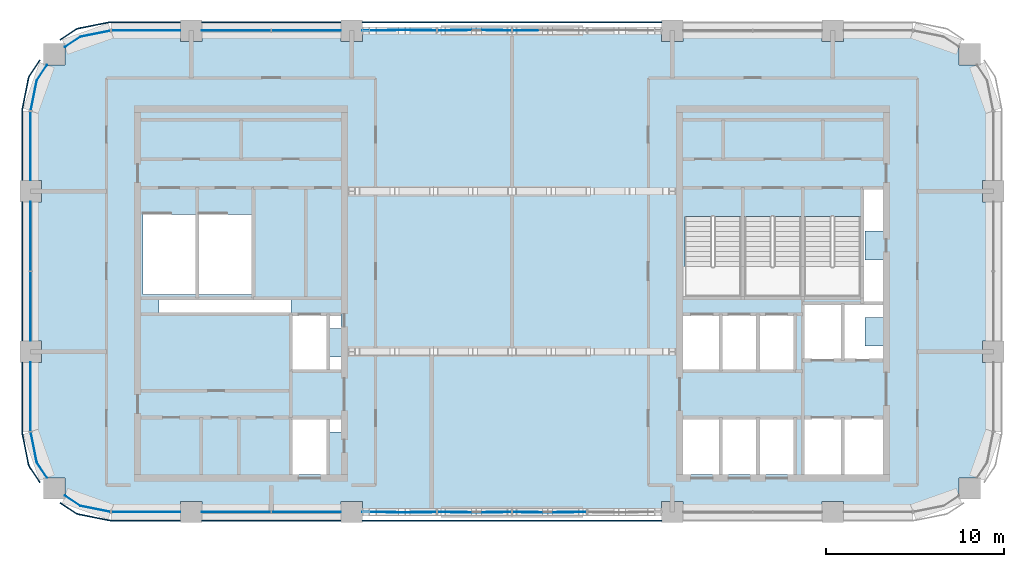
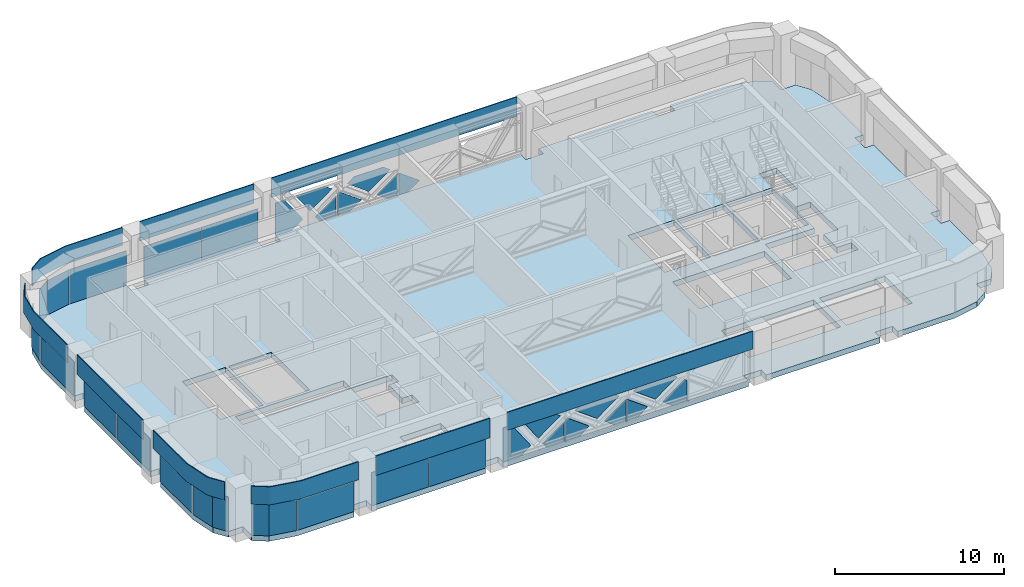
# One storey, part 6 of 12: 39 plates, 1 slab, 9 elements without a shape of their own.
"""IFC4 building model written with IfcOpenShell, lengths in metres."""

from ifc_helpers import new_model, si_unit, direction, frame, origin, origin_2d, place, context, subcontext, project, spatial, polyline, rectangle, outline, extrude, material, layer, layer_set, type_object, element, aggregate, save


model = new_model("IFC4")

# Units and contexts
model_context = context("Model", 3, precision=1e-05, world=origin(), true_north=direction((0.0, 1.0)))
body_context = subcontext(model_context, "Body", "Model", "MODEL_VIEW")
ifc_project = project(units=[si_unit("LENGTHUNIT", "METRE"), si_unit("AREAUNIT", "SQUARE_METRE"), si_unit("VOLUMEUNIT", "CUBIC_METRE"), si_unit("PLANEANGLEUNIT", "RADIAN"), si_unit("MASSUNIT", "GRAM", prefix="KILO")], contexts=[model_context])

# Site, building, storey
site_placement = place(None, origin())
site = spatial("IfcSite", under=ifc_project, at=site_placement, CompositionType="ELEMENT")
building_placement = place(site_placement, origin())
building = spatial("IfcBuilding", under=site, at=building_placement, Name="Tessera Arch", CompositionType="ELEMENT")
storey_placement = place(building_placement, frame((0.0, 0.0, 230.60009765625)))
storey = spatial("IfcBuildingStorey", under=building, at=storey_placement, Name="L55", CompositionType="ELEMENT", Elevation=230.60009765625)

# Curtain wall, plates
ifc_material_1 = material(Name="CW1 curtain wall")
curtain_wall_type_1 = type_object("IfcCurtainWallType", Name="CW1 curtain wall", PredefinedType="NOTDEFINED", material=ifc_material_1)
curtain_wall_1_placement = place(storey_placement, origin())
curtain_wall_1 = element("IfcCurtainWall", 1, at=curtain_wall_1_placement, inside=storey, type_object=curtain_wall_type_1, Name="CW1 curtain wall N54.0/3 L55", PredefinedType="NOTDEFINED")
ifc_material_2 = material(Name="Clear low-e glass", Category="glass")
ifc_material_3 = material(Name="Clear low-e glass", Category="glass")
ifc_layer_1 = layer(ifc_material_3, 0.028076171875)
ifc_layer_set_1 = layer_set([ifc_layer_1], Name="CW1 glass panel")
plate_type_1 = type_object("IfcPlateType", Name="CW1 glass panel", PredefinedType="CURTAIN_PANEL", material=ifc_layer_set_1)
plate_1_placement = place(storey_placement, frame((15.465087890625, 54.0, 0.0), z_axis=(0.0, 0.0, 1.0), x_axis=(-1.0, 0.0, 0.0)))
plate_1 = element("IfcPlate", 2, at=plate_1_placement, type_object=plate_type_1, material=ifc_material_2, Name="CW1 glass panel N54.0/3 1.1.1", PredefinedType="CURTAIN_PANEL", context=body_context, shape_type="SweptSolid", body=[
    extrude(rectangle(XDim=3.8701171875, YDim=0.028076171875, at=origin_2d()), origin(), (0.0, 0.0, 1.0), 2.389892578125),
])
plate_2_placement = place(storey_placement, frame((11.534912109375, 54.0, 0.0), z_axis=(0.0, 0.0, 1.0), x_axis=(-1.0, 0.0, 0.0)))
plate_2 = element("IfcPlate", 3, at=plate_2_placement, type_object=plate_type_1, material=ifc_material_2, Name="CW1 glass panel N54.0/3 1.2.1", PredefinedType="CURTAIN_PANEL", context=body_context, shape_type="SweptSolid", body=[
    extrude(rectangle(XDim=3.8701171875, YDim=0.028076171875, at=origin_2d()), origin(), (0.0, 0.0, 1.0), 2.389892578125),
])

curtain_wall_2_placement = place(storey_placement, origin())
curtain_wall_2 = element("IfcCurtainWall", 4, at=curtain_wall_2_placement, inside=storey, type_object=curtain_wall_type_1, Name="CW1 curtain wall W0.27/1 L55", PredefinedType="NOTDEFINED")
plate_3_placement = place(storey_placement, frame((0.0, 42.465087890625, 0.0), z_axis=(0.0, 0.0, 1.0), x_axis=(0.0, -1.0, 0.0)))
plate_3 = element("IfcPlate", 5, at=plate_3_placement, type_object=plate_type_1, material=ifc_material_2, Name="CW1 glass panel W0.27/1 1.1.1", PredefinedType="CURTAIN_PANEL", context=body_context, shape_type="SweptSolid", body=[
    extrude(rectangle(XDim=3.8701171875, YDim=0.028076171875, at=origin_2d()), origin(), (0.0, 0.0, 1.0), 2.389892578125),
])
plate_4_placement = place(storey_placement, frame((0.0, 38.534912109375, 0.0), z_axis=(0.0, 0.0, 1.0), x_axis=(0.0, -1.0, 0.0)))
plate_4 = element("IfcPlate", 6, at=plate_4_placement, type_object=plate_type_1, material=ifc_material_2, Name="CW1 glass panel W0.27/1 1.2.1", PredefinedType="CURTAIN_PANEL", context=body_context, shape_type="SweptSolid", body=[
    extrude(rectangle(XDim=3.8701171875, YDim=0.028076171875, at=origin_2d()), origin(), (0.0, 0.0, 1.0), 2.389892578125),
])

curtain_wall_3_placement = place(storey_placement, origin())
curtain_wall_3 = element("IfcCurtainWall", 7, at=curtain_wall_3_placement, inside=storey, type_object=curtain_wall_type_1, Name="CW1 curtain wall S27.0/1 L55", PredefinedType="NOTDEFINED")
plate_5_placement = place(storey_placement, frame((11.534912109375, 27.0, 0.0), z_axis=(0.0, 0.0, 1.0), x_axis=(1.0, 0.0, 0.0)))
plate_5 = element("IfcPlate", 8, at=plate_5_placement, type_object=plate_type_1, material=ifc_material_2, Name="CW1 glass panel S27.0/1 1.1.1", PredefinedType="CURTAIN_PANEL", context=body_context, shape_type="SweptSolid", body=[
    extrude(rectangle(XDim=3.8701171875, YDim=0.028076171875, at=origin_2d()), origin(), (0.0, 0.0, 1.0), 2.389892578125),
])
plate_6_placement = place(storey_placement, frame((15.465087890625, 27.0, 0.0), z_axis=(0.0, 0.0, 1.0), x_axis=(1.0, 0.0, 0.0)))
plate_6 = element("IfcPlate", 9, at=plate_6_placement, type_object=plate_type_1, material=ifc_material_2, Name="CW1 glass panel S27.0/1 1.2.1", PredefinedType="CURTAIN_PANEL", context=body_context, shape_type="SweptSolid", body=[
    extrude(rectangle(XDim=3.8701171875, YDim=0.028076171875, at=origin_2d()), origin(), (0.0, 0.0, 1.0), 2.389892578125),
])

# Plate
ifc_material_4 = material(Name="Pale anodised aluminium panel", Category="aluminium")
ifc_layer_2 = layer(ifc_material_4, 0.06005859375)
ifc_layer_set_2 = layer_set([ifc_layer_2], Name="CW1 spandrel panel")
plate_type_2 = type_object("IfcPlateType", Name="CW1 spandrel panel", PredefinedType="CURTAIN_PANEL", material=ifc_layer_set_2)
plate_7_placement = place(storey_placement, frame((13.5, 54.47998046875, 2.48974609375), z_axis=(0.0, 0.0, 1.0), x_axis=(-1.0, 0.0, 0.0)))
plate_7 = element("IfcPlate", 10, at=plate_7_placement, type_object=plate_type_2, Name="CW1 spandrel panel N54.0/3", PredefinedType="CURTAIN_PANEL", context=body_context, shape_type="SweptSolid", body=[
    extrude(rectangle(XDim=7.800048828125, YDim=0.06005859375, at=origin_2d()), origin(), (0.0, 0.0, 1.0), 1.409912109375),
])

aggregate(curtain_wall_1, [plate_1, plate_2, plate_7])

plate_8_placement = place(storey_placement, frame((-0.47998046875, 40.5, 2.48974609375), z_axis=(0.0, 0.0, 1.0), x_axis=(0.0, -1.0, 0.0)))
plate_8 = element("IfcPlate", 11, at=plate_8_placement, type_object=plate_type_2, Name="CW1 spandrel panel W0.27/1", PredefinedType="CURTAIN_PANEL", context=body_context, shape_type="SweptSolid", body=[
    extrude(rectangle(XDim=7.800048828125, YDim=0.06005859375, at=origin_2d()), origin(), (0.0, 0.0, 1.0), 1.409912109375),
])

aggregate(curtain_wall_2, [plate_3, plate_4, plate_8])

plate_9_placement = place(storey_placement, frame((13.5, 26.52001953125, 2.48974609375), z_axis=(0.0, 0.0, 1.0), x_axis=(1.0, 0.0, 0.0)))
plate_9 = element("IfcPlate", 12, at=plate_9_placement, type_object=plate_type_2, Name="CW1 spandrel panel S27.0/1", PredefinedType="CURTAIN_PANEL", context=body_context, shape_type="SweptSolid", body=[
    extrude(rectangle(XDim=7.800048828125, YDim=0.06005859375, at=origin_2d()), origin(), (0.0, 0.0, 1.0), 1.409912109375),
])

aggregate(curtain_wall_3, [plate_5, plate_6, plate_9])

# Curtain wall, plates
ifc_material_5 = material(Name="CW2 curtain wall")
curtain_wall_type_2 = type_object("IfcCurtainWallType", Name="CW2 curtain wall", PredefinedType="NOTDEFINED", material=ifc_material_5)
curtain_wall_4_placement = place(storey_placement, origin())
curtain_wall_4 = element("IfcCurtainWall", 13, at=curtain_wall_4_placement, inside=storey, type_object=curtain_wall_type_2, Name="CW2 curtain wall N54.0/4 L55", PredefinedType="NOTDEFINED")
ifc_material_6 = material(Name="Clear low-e glass", Category="glass")
ifc_layer_3 = layer(ifc_material_6, 0.028076171875)
ifc_layer_set_3 = layer_set([ifc_layer_3], Name="CW2 glass panel")
plate_type_3 = type_object("IfcPlateType", Name="CW2 glass panel", PredefinedType="CURTAIN_PANEL", material=ifc_layer_set_3)
plate_10_placement = place(storey_placement, frame((6.469970703125, 54.0, 0.0), z_axis=(0.0, 0.0, 1.0), x_axis=(-1.0, 0.0, 0.0)))
plate_10 = element("IfcPlate", 14, at=plate_10_placement, type_object=plate_type_3, material=ifc_material_2, Name="CW2 glass panel N54.0/4 1.1", PredefinedType="CURTAIN_PANEL", context=body_context, shape_type="SweptSolid", body=[
    extrude(rectangle(XDim=3.860107421875, YDim=0.028076171875, at=origin_2d()), origin(), (0.0, 0.0, 1.0), 2.5),
])
plate_11_placement = place(storey_placement, origin())
plate_11 = element("IfcPlate", 15, at=plate_11_placement, type_object=plate_type_3, material=ifc_material_2, Name="CW2 curved glass panel N54.0/4 2.1", PredefinedType="CURTAIN_PANEL", context=body_context, shape_type="SweptSolid", body=[
    extrude(outline(polyline([(2.783447265625, 53.644287109375), (4.46337890625, 53.978515625), (4.4580078125, 54.005859375), (2.7724609375, 53.670654296875), (1.91015625, 53.094482421875), (1.92578125, 53.0712890625), (2.783447265625, 53.644287109375)])), origin(), (0.0, 0.0, 1.0), 2.5),
])

curtain_wall_5_placement = place(storey_placement, origin())
curtain_wall_5 = element("IfcCurtainWall", 16, at=curtain_wall_5_placement, inside=storey, type_object=curtain_wall_type_2, Name="CW2 curtain wall W0.27/0 L55", PredefinedType="NOTDEFINED")
plate_12_placement = place(storey_placement, frame((0.0, 47.530029296875, 0.0), z_axis=(0.0, 0.0, 1.0), x_axis=(0.0, -1.0, 0.0)))
plate_12 = element("IfcPlate", 17, at=plate_12_placement, type_object=plate_type_3, material=ifc_material_2, Name="CW2 glass panel W0.27/0 1.1", PredefinedType="CURTAIN_PANEL", context=body_context, shape_type="SweptSolid", body=[
    extrude(rectangle(XDim=3.860107421875, YDim=0.028076171875, at=origin_2d()), origin(), (0.0, 0.0, 1.0), 2.5),
])
plate_13_placement = place(storey_placement, origin())
plate_13 = element("IfcPlate", 18, at=plate_13_placement, type_object=plate_type_3, material=ifc_material_2, Name="CW2 curved glass panel W0.27/0 2.1", PredefinedType="CURTAIN_PANEL", context=body_context, shape_type="SweptSolid", body=[
    extrude(outline(polyline([(0.355712890625, 51.216552734375), (0.9287109375, 52.07421875), (0.905517578125, 52.08984375), (0.329345703125, 51.2275390625), (-0.005859375, 49.5419921875), (0.021484375, 49.53662109375), (0.355712890625, 51.216552734375)])), origin(), (0.0, 0.0, 1.0), 2.5),
])

curtain_wall_6_placement = place(storey_placement, origin())
curtain_wall_6 = element("IfcCurtainWall", 19, at=curtain_wall_6_placement, inside=storey, type_object=curtain_wall_type_2, Name="CW2 curtain wall W0.27/2 L55", PredefinedType="NOTDEFINED")
plate_14_placement = place(storey_placement, frame((0.0, 33.469970703125, 0.0), z_axis=(0.0, 0.0, 1.0), x_axis=(0.0, -1.0, 0.0)))
plate_14 = element("IfcPlate", 20, at=plate_14_placement, type_object=plate_type_3, material=ifc_material_2, Name="CW2 glass panel W0.27/2 1.1", PredefinedType="CURTAIN_PANEL", context=body_context, shape_type="SweptSolid", body=[
    extrude(rectangle(XDim=3.860107421875, YDim=0.028076171875, at=origin_2d()), origin(), (0.0, 0.0, 1.0), 2.5),
])
plate_15_placement = place(storey_placement, origin())
plate_15 = element("IfcPlate", 21, at=plate_15_placement, type_object=plate_type_3, material=ifc_material_2, Name="CW2 curved glass panel W0.27/2 2.1", PredefinedType="CURTAIN_PANEL", context=body_context, shape_type="SweptSolid", body=[
    extrude(outline(polyline([(0.355712890625, 29.783447265625), (0.021484375, 31.46337890625), (-0.005859375, 31.4580078125), (0.329345703125, 29.7724609375), (0.905517578125, 28.91015625), (0.9287109375, 28.92578125), (0.355712890625, 29.783447265625)])), origin(), (0.0, 0.0, 1.0), 2.5),
])

curtain_wall_7_placement = place(storey_placement, origin())
curtain_wall_7 = element("IfcCurtainWall", 22, at=curtain_wall_7_placement, inside=storey, type_object=curtain_wall_type_2, Name="CW2 curtain wall S27.0/0 L55", PredefinedType="NOTDEFINED")
plate_16_placement = place(storey_placement, frame((6.469970703125, 27.0, 0.0), z_axis=(0.0, 0.0, 1.0), x_axis=(1.0, 0.0, 0.0)))
plate_16 = element("IfcPlate", 23, at=plate_16_placement, type_object=plate_type_3, material=ifc_material_2, Name="CW2 glass panel S27.0/0 1.1", PredefinedType="CURTAIN_PANEL", context=body_context, shape_type="SweptSolid", body=[
    extrude(rectangle(XDim=3.860107421875, YDim=0.028076171875, at=origin_2d()), origin(), (0.0, 0.0, 1.0), 2.5),
])
plate_17_placement = place(storey_placement, origin())
plate_17 = element("IfcPlate", 24, at=plate_17_placement, type_object=plate_type_3, material=ifc_material_2, Name="CW2 curved glass panel S27.0/0 2.1", PredefinedType="CURTAIN_PANEL", context=body_context, shape_type="SweptSolid", body=[
    extrude(outline(polyline([(2.783447265625, 27.355712890625), (1.92578125, 27.9287109375), (1.91015625, 27.905517578125), (2.7724609375, 27.329345703125), (4.4580078125, 26.994140625), (4.46337890625, 27.021484375), (2.783447265625, 27.355712890625)])), origin(), (0.0, 0.0, 1.0), 2.5),
])

# Plate
ifc_material_7 = material(Name="Pale anodised aluminium panel", Category="aluminium")
ifc_layer_4 = layer(ifc_material_7, 0.06005859375)
ifc_layer_set_4 = layer_set([ifc_layer_4], Name="CW2 spandrel panel")
plate_type_4 = type_object("IfcPlateType", Name="CW2 spandrel panel", PredefinedType="CURTAIN_PANEL", material=ifc_layer_set_4)
plate_18_placement = place(storey_placement, frame((0.0, 0.0, 2.599853515625)))
plate_18 = element("IfcPlate", 25, at=plate_18_placement, type_object=plate_type_4, Name="CW2 spandrel panel N54.0/4", PredefinedType="CURTAIN_PANEL", context=body_context, shape_type="SweptSolid", body=[
    extrude(outline(polyline([(4.500732421875, 54.449951171875), (8.39990234375, 54.449951171875), (8.39990234375, 54.510009765625), (4.499267578125, 54.510009765625), (4.449951171875, 54.507568359375), (4.401123046875, 54.500244140625), (2.677734375, 54.157470703125), (2.6298828125, 54.1455078125), (2.582763671875, 54.128662109375), (2.537353515625, 54.107421875), (2.4951171875, 54.08203125), (1.634765625, 53.5068359375), (1.66796875, 53.45703125), (2.52734375, 54.03125), (2.565673828125, 54.054443359375), (2.605712890625, 54.0732421875), (2.647216796875, 54.088134765625), (2.69091796875, 54.09912109375), (4.411376953125, 54.441162109375), (4.455810546875, 54.44775390625), (4.500732421875, 54.449951171875)])), origin(), (0.0, 0.0, 1.0), 1.300048828125),
])

aggregate(curtain_wall_4, [plate_10, plate_11, plate_18])

plate_19_placement = place(storey_placement, frame((0.0, 0.0, 2.599853515625)))
plate_19 = element("IfcPlate", 26, at=plate_19_placement, type_object=plate_type_4, Name="CW2 spandrel panel W0.27/0", PredefinedType="CURTAIN_PANEL", context=body_context, shape_type="SweptSolid", body=[
    extrude(outline(polyline([(-0.03125, 51.47265625), (0.54296875, 52.33203125), (0.4931640625, 52.365234375), (-0.08203125, 51.5048828125), (-0.107421875, 51.462646484375), (-0.128662109375, 51.417236328125), (-0.1455078125, 51.3701171875), (-0.157470703125, 51.322265625), (-0.500244140625, 49.598876953125), (-0.507568359375, 49.550048828125), (-0.510009765625, 49.500732421875), (-0.510009765625, 45.60009765625), (-0.449951171875, 45.60009765625), (-0.449951171875, 49.499267578125), (-0.44775390625, 49.544189453125), (-0.441162109375, 49.588623046875), (-0.09912109375, 51.30908203125), (-0.088134765625, 51.352783203125), (-0.0732421875, 51.394287109375), (-0.054443359375, 51.434326171875), (-0.03125, 51.47265625)])), origin(), (0.0, 0.0, 1.0), 1.300048828125),
])

aggregate(curtain_wall_5, [plate_12, plate_13, plate_19])

plate_20_placement = place(storey_placement, frame((0.0, 0.0, 2.599853515625)))
plate_20 = element("IfcPlate", 27, at=plate_20_placement, type_object=plate_type_4, Name="CW2 spandrel panel W0.27/2", PredefinedType="CURTAIN_PANEL", context=body_context, shape_type="SweptSolid", body=[
    extrude(outline(polyline([(-0.449951171875, 31.500732421875), (-0.449951171875, 35.39990234375), (-0.510009765625, 35.39990234375), (-0.510009765625, 31.499267578125), (-0.507568359375, 31.449951171875), (-0.500244140625, 31.401123046875), (-0.157470703125, 29.677734375), (-0.1455078125, 29.6298828125), (-0.128662109375, 29.582763671875), (-0.107421875, 29.537353515625), (-0.08203125, 29.4951171875), (0.4931640625, 28.634765625), (0.54296875, 28.66796875), (-0.03125, 29.52734375), (-0.054443359375, 29.565673828125), (-0.0732421875, 29.605712890625), (-0.088134765625, 29.647216796875), (-0.09912109375, 29.69091796875), (-0.441162109375, 31.411376953125), (-0.44775390625, 31.455810546875), (-0.449951171875, 31.500732421875)])), origin(), (0.0, 0.0, 1.0), 1.300048828125),
])

aggregate(curtain_wall_6, [plate_14, plate_15, plate_20])

plate_21_placement = place(storey_placement, frame((0.0, 0.0, 2.599853515625)))
plate_21 = element("IfcPlate", 28, at=plate_21_placement, type_object=plate_type_4, Name="CW2 spandrel panel S27.0/0", PredefinedType="CURTAIN_PANEL", context=body_context, shape_type="SweptSolid", body=[
    extrude(outline(polyline([(2.52734375, 26.96875), (1.66796875, 27.54296875), (1.634765625, 27.4931640625), (2.4951171875, 26.91796875), (2.537353515625, 26.892578125), (2.582763671875, 26.871337890625), (2.6298828125, 26.8544921875), (2.677734375, 26.842529296875), (4.401123046875, 26.499755859375), (4.449951171875, 26.492431640625), (4.499267578125, 26.489990234375), (8.39990234375, 26.489990234375), (8.39990234375, 26.550048828125), (4.500732421875, 26.550048828125), (4.455810546875, 26.55224609375), (4.411376953125, 26.558837890625), (2.69091796875, 26.90087890625), (2.647216796875, 26.911865234375), (2.605712890625, 26.9267578125), (2.565673828125, 26.945556640625), (2.52734375, 26.96875)])), origin(), (0.0, 0.0, 1.0), 1.300048828125),
])

aggregate(curtain_wall_7, [plate_16, plate_17, plate_21])

# Curtain wall, plates
ifc_material_8 = material(Name="CW4 curtain wall")
curtain_wall_type_3 = type_object("IfcCurtainWallType", Name="CW4 curtain wall", PredefinedType="NOTDEFINED", material=ifc_material_8)
curtain_wall_8_placement = place(storey_placement, origin())
curtain_wall_8 = element("IfcCurtainWall", 29, at=curtain_wall_8_placement, inside=storey, type_object=curtain_wall_type_3, Name="CW4 curtain wall N54.0/2 L55", PredefinedType="NOTDEFINED")
ifc_material_9 = material(Name="Clear low-e glass", Category="glass")
ifc_layer_5 = layer(ifc_material_9, 0.028076171875)
ifc_layer_set_5 = layer_set([ifc_layer_5], Name="CW4 glass panel")
plate_type_5 = type_object("IfcPlateType", Name="CW4 glass panel", PredefinedType="CURTAIN_PANEL", material=ifc_layer_set_5)
plate_22_placement = place(storey_placement, frame((27.0400390625, 54.013916015625, 0.0), z_axis=(0.0, 1.0, 0.0), x_axis=(0.0, 0.0, 1.0)))
plate_22 = element("IfcPlate", 30, at=plate_22_placement, type_object=plate_type_5, material=ifc_material_2, Name="CW4 fitted glass panel N54.0/2 7", PredefinedType="CURTAIN_PANEL", context=body_context, shape_type="SweptSolid", body=[
    extrude(outline(polyline([(0.0, 0.0), (1.607421875, 0.0), (0.554931640625, 1.434814453125), (0.0, 0.677978515625), (0.0, 0.0)])), origin(), (0.0, 0.0, -1.0), 0.028076171875),
])
plate_23_placement = place(storey_placement, frame((26.9599609375, 54.013916015625, 0.0), z_axis=(0.0, 1.0, 0.0), x_axis=(-1.0, 0.0, 0.0)))
plate_23 = element("IfcPlate", 31, at=plate_23_placement, type_object=plate_type_5, material=ifc_material_2, Name="CW4 fitted glass panel N54.0/2 8", PredefinedType="CURTAIN_PANEL", context=body_context, shape_type="SweptSolid", body=[
    extrude(outline(polyline([(0.0, 0.0), (0.677978515625, 0.0), (1.434814453125, 0.554931640625), (0.0, 1.607421875), (0.0, 0.0)])), origin(), (0.0, 0.0, -1.0), 0.028076171875),
])
plate_24_placement = place(storey_placement, frame((24.007568359375, 54.0419921875, 2.369873046875), z_axis=(0.0, 1.0, 0.0), x_axis=(1.0, 0.0, 0.0)))
plate_24 = element("IfcPlate", 32, at=plate_24_placement, type_object=plate_type_5, material=ifc_material_2, Name="CW4 fitted glass panel N54.0/2 10", PredefinedType="CURTAIN_PANEL", context=body_context, shape_type="SweptSolid", body=[
    extrude(outline(polyline([(0.0, 0.0), (1.9931640625, 0.0), (2.471435546875, 0.350830078125), (0.99658203125, 1.4326171875), (-0.478271484375, 0.350830078125), (0.0, 0.0)])), origin(), (0.0, 0.0, -1.0), 0.028076171875),
])
plate_25_placement = place(storey_placement, frame((22.840087890625, 54.013916015625, 0.0), z_axis=(0.0, 1.0, 0.0), x_axis=(0.0, 0.0, 1.0)))
plate_25 = element("IfcPlate", 33, at=plate_25_placement, type_object=plate_type_5, material=ifc_material_2, Name="CW4 fitted glass panel N54.0/2 11", PredefinedType="CURTAIN_PANEL", context=body_context, shape_type="SweptSolid", body=[
    extrude(outline(polyline([(0.0, 0.0), (1.513427734375, 0.0), (1.636962890625, 0.168212890625), (0.554931640625, 1.64306640625), (0.0, 0.88623046875), (0.0, 0.0)])), origin(), (0.0, 0.0, -1.0), 0.028076171875),
])
plate_26_placement = place(storey_placement, frame((22.760009765625, 54.013916015625, 0.0), z_axis=(0.0, 1.0, 0.0), x_axis=(-1.0, 0.0, 0.0)))
plate_26 = element("IfcPlate", 34, at=plate_26_placement, type_object=plate_type_5, material=ifc_material_2, Name="CW4 fitted glass panel N54.0/2 12", PredefinedType="CURTAIN_PANEL", context=body_context, shape_type="SweptSolid", body=[
    extrude(outline(polyline([(0.0, 0.0), (1.149169921875, 0.0), (1.4267578125, 0.408203125), (0.0, 1.45458984375), (0.0, 0.0)])), origin(), (0.0, 0.0, -1.0), 0.028076171875),
])
plate_27_placement = place(storey_placement, frame((19.999755859375, 54.0419921875, 2.369873046875), z_axis=(0.0, 1.0, 0.0), x_axis=(1.0, 0.0, 0.0)))
plate_27 = element("IfcPlate", 35, at=plate_27_placement, type_object=plate_type_5, material=ifc_material_2, Name="CW4 fitted glass panel N54.0/2 13", PredefinedType="CURTAIN_PANEL", context=body_context, shape_type="SweptSolid", body=[
    extrude(outline(polyline([(0.0, 0.0), (2.00927734375, 0.0), (2.487548828125, 0.350830078125), (0.98681640625, 1.45166015625), (0.0, 0.0)])), origin(), (0.0, 0.0, -1.0), 0.028076171875),
])
plate_28_placement = place(storey_placement, frame((18.60009765625, 54.013916015625, 2.369873046875), z_axis=(0.0, 1.0, 0.0), x_axis=(1.0, 0.0, 0.0)))
plate_28 = element("IfcPlate", 36, at=plate_28_placement, type_object=plate_type_5, material=ifc_material_2, Name="CW4 fitted glass panel N54.0/2 14", PredefinedType="CURTAIN_PANEL", context=body_context, shape_type="SweptSolid", body=[
    extrude(outline(polyline([(0.0, 0.0), (0.654296875, 0.0), (1.88916015625, 1.81640625), (1.134765625, 2.369873046875), (0.0, 2.369873046875), (0.0, 0.0)])), origin(), (0.0, 0.0, -1.0), 0.028076171875),
])

curtain_wall_9_placement = place(storey_placement, origin())
curtain_wall_9 = element("IfcCurtainWall", 37, at=curtain_wall_9_placement, inside=storey, type_object=curtain_wall_type_3, Name="CW4 curtain wall S27.0/2 L55", PredefinedType="NOTDEFINED")
plate_29_placement = place(storey_placement, frame((18.60009765625, 26.986083984375, 0.0), z_axis=(0.0, -1.0, 0.0), x_axis=(1.0, 0.0, 0.0)))
plate_29 = element("IfcPlate", 38, at=plate_29_placement, type_object=plate_type_5, material=ifc_material_2, Name="CW4 fitted glass panel S27.0/2 1", PredefinedType="CURTAIN_PANEL", context=body_context, shape_type="SweptSolid", body=[
    extrude(outline(polyline([(0.0, 0.0), (1.134765625, 0.0), (1.88916015625, 0.553466796875), (0.57958984375, 2.47998046875), (0.0, 2.47998046875), (0.0, 0.0)])), origin(), (0.0, 0.0, -1.0), 0.028076171875),
])
plate_30_placement = place(storey_placement, frame((21.859130859375, 26.9580078125, 2.47998046875), z_axis=(0.0, -1.0, 0.0), x_axis=(-1.0, 0.0, 0.0)))
plate_30 = element("IfcPlate", 39, at=plate_30_placement, type_object=plate_type_5, material=ifc_material_2, Name="CW4 fitted glass panel S27.0/2 2", PredefinedType="CURTAIN_PANEL", context=body_context, shape_type="SweptSolid", body=[
    extrude(outline(polyline([(0.0, 0.0), (1.934326171875, 0.0), (0.87255859375, 1.561767578125), (-0.628173828125, 0.4609375), (0.0, 0.0)])), origin(), (0.0, 0.0, -1.0), 0.028076171875),
])
plate_31_placement = place(storey_placement, frame((22.760009765625, 26.986083984375, 0.0), z_axis=(0.0, -1.0, 0.0), x_axis=(0.0, 0.0, 1.0)))
plate_31 = element("IfcPlate", 40, at=plate_31_placement, type_object=plate_type_5, material=ifc_material_2, Name="CW4 fitted glass panel S27.0/2 3", PredefinedType="CURTAIN_PANEL", context=body_context, shape_type="SweptSolid", body=[
    extrude(outline(polyline([(0.0, 0.0), (1.45458984375, 0.0), (0.408203125, 1.4267578125), (0.0, 1.149169921875), (0.0, 0.0)])), origin(), (0.0, 0.0, -1.0), 0.028076171875),
])
plate_32_placement = place(storey_placement, frame((22.840087890625, 26.986083984375, 0.0), z_axis=(0.0, -1.0, 0.0), x_axis=(1.0, 0.0, 0.0)))
plate_32 = element("IfcPlate", 41, at=plate_32_placement, type_object=plate_type_5, material=ifc_material_2, Name="CW4 fitted glass panel S27.0/2 4", PredefinedType="CURTAIN_PANEL", context=body_context, shape_type="SweptSolid", body=[
    extrude(outline(polyline([(0.0, 0.0), (0.88623046875, 0.0), (1.64306640625, 0.554931640625), (0.168212890625, 1.636962890625), (0.0, 1.513427734375), (0.0, 0.0)])), origin(), (0.0, 0.0, -1.0), 0.028076171875),
])
plate_33_placement = place(storey_placement, frame((25.8505859375, 26.9580078125, 2.47998046875), z_axis=(0.0, -1.0, 0.0), x_axis=(-1.0, 0.0, 0.0)))
plate_33 = element("IfcPlate", 42, at=plate_33_placement, type_object=plate_type_5, material=ifc_material_2, Name="CW4 fitted glass panel S27.0/2 6", PredefinedType="CURTAIN_PANEL", context=body_context, shape_type="SweptSolid", body=[
    extrude(outline(polyline([(0.0, 0.0), (1.69287109375, 0.0), (2.3212890625, 0.4609375), (0.846435546875, 1.542724609375), (-0.62841796875, 0.4609375), (0.0, 0.0)])), origin(), (0.0, 0.0, -1.0), 0.028076171875),
])
plate_34_placement = place(storey_placement, frame((26.9599609375, 26.986083984375, 0.0), z_axis=(0.0, -1.0, 0.0), x_axis=(0.0, 0.0, 1.0)))
plate_34 = element("IfcPlate", 43, at=plate_34_placement, type_object=plate_type_5, material=ifc_material_2, Name="CW4 fitted glass panel S27.0/2 7", PredefinedType="CURTAIN_PANEL", context=body_context, shape_type="SweptSolid", body=[
    extrude(outline(polyline([(0.0, 0.0), (1.607421875, 0.0), (0.554931640625, 1.434814453125), (0.0, 0.677978515625), (0.0, 0.0)])), origin(), (0.0, 0.0, -1.0), 0.028076171875),
])
plate_35_placement = place(storey_placement, frame((27.0400390625, 26.986083984375, 0.0), z_axis=(0.0, -1.0, 0.0), x_axis=(1.0, 0.0, 0.0)))
plate_35 = element("IfcPlate", 44, at=plate_35_placement, type_object=plate_type_5, material=ifc_material_2, Name="CW4 fitted glass panel S27.0/2 8", PredefinedType="CURTAIN_PANEL", context=body_context, shape_type="SweptSolid", body=[
    extrude(outline(polyline([(0.0, 0.0), (0.677978515625, 0.0), (1.434814453125, 0.554931640625), (0.0, 1.607421875), (0.0, 0.0)])), origin(), (0.0, 0.0, -1.0), 0.028076171875),
])
plate_36_placement = place(storey_placement, frame((29.84228515625, 26.9580078125, 2.47998046875), z_axis=(0.0, -1.0, 0.0), x_axis=(-1.0, 0.0, 0.0)))
plate_36 = element("IfcPlate", 45, at=plate_36_placement, type_object=plate_type_5, material=ifc_material_2, Name="CW4 fitted glass panel S27.0/2 10", PredefinedType="CURTAIN_PANEL", context=body_context, shape_type="SweptSolid", body=[
    extrude(outline(polyline([(0.0, 0.0), (1.69287109375, 0.0), (2.3212890625, 0.4609375), (0.846435546875, 1.542724609375), (-0.62841796875, 0.4609375), (0.0, 0.0)])), origin(), (0.0, 0.0, -1.0), 0.028076171875),
])
plate_37_placement = place(storey_placement, frame((31.159912109375, 26.986083984375, 0.0), z_axis=(0.0, -1.0, 0.0), x_axis=(0.0, 0.0, 1.0)))
plate_37 = element("IfcPlate", 46, at=plate_37_placement, type_object=plate_type_5, material=ifc_material_2, Name="CW4 fitted glass panel S27.0/2 11", PredefinedType="CURTAIN_PANEL", context=body_context, shape_type="SweptSolid", body=[
    extrude(outline(polyline([(0.0, 0.0), (1.513427734375, 0.0), (1.636962890625, 0.168212890625), (0.554931640625, 1.64306640625), (0.0, 0.88623046875), (0.0, 0.0)])), origin(), (0.0, 0.0, -1.0), 0.028076171875),
])

# Plate
ifc_material_10 = material(Name="Pale anodised aluminium panel", Category="aluminium")
ifc_layer_6 = layer(ifc_material_10, 0.06005859375)
ifc_layer_set_6 = layer_set([ifc_layer_6], Name="CW4 spandrel panel")
plate_type_6 = type_object("IfcPlateType", Name="CW4 spandrel panel", PredefinedType="CURTAIN_PANEL", material=ifc_layer_set_6)
plate_38_placement = place(storey_placement, frame((27.0, 54.47998046875, 2.48974609375), z_axis=(0.0, 0.0, 1.0), x_axis=(-1.0, 0.0, 0.0)))
plate_38 = element("IfcPlate", 47, at=plate_38_placement, type_object=plate_type_6, Name="CW4 spandrel panel N54.0/2", PredefinedType="CURTAIN_PANEL", context=body_context, shape_type="SweptSolid", body=[
    extrude(rectangle(XDim=16.800048828125, YDim=0.06005859375, at=origin_2d()), origin(), (0.0, 0.0, 1.0), 1.409912109375),
])

aggregate(curtain_wall_8, [plate_22, plate_23, plate_24, plate_25, plate_26, plate_27, plate_28, plate_38])

plate_39_placement = place(storey_placement, frame((27.0, 26.52001953125, 2.60009765625), z_axis=(0.0, 0.0, 1.0), x_axis=(1.0, 0.0, 0.0)))
plate_39 = element("IfcPlate", 48, at=plate_39_placement, type_object=plate_type_6, Name="CW4 spandrel panel S27.0/2", PredefinedType="CURTAIN_PANEL", context=body_context, shape_type="SweptSolid", body=[
    extrude(rectangle(XDim=16.800048828125, YDim=0.06005859375, at=origin_2d()), origin(), (0.0, 0.0, 1.0), 1.300048828125),
])

aggregate(curtain_wall_9, [plate_29, plate_30, plate_31, plate_32, plate_33, plate_34, plate_35, plate_36, plate_37, plate_39])

# Slab
ifc_material_11 = material(Name="Concrete C40/50", Category="concrete")
ifc_layer_7 = layer(ifc_material_11, 0.39990234375)
ifc_layer_set_7 = layer_set([ifc_layer_7], Name="Floor slab 400 Concrete C40/50")
slab_type = type_object("IfcSlabType", Name="Floor slab 400 Concrete C40/50", PredefinedType="FLOOR", material=ifc_layer_set_7)
slab_placement = place(storey_placement, frame((0.0, 0.0, -0.400146484375)))
element("IfcSlab", 49, at=slab_placement, inside=storey, type_object=slab_type, Name="Floor slab L55 1", PredefinedType="FLOOR", context=body_context, shape_type="SweptSolid", body=[
    extrude(outline(polyline([(54.0, 31.5), (53.657470703125, 29.77783203125), (53.0830078125, 28.91796875), (52.08203125, 28.91796875), (52.08203125, 27.9169921875), (51.22216796875, 27.342529296875), (49.5, 27.0), (45.60009765625, 27.0), (45.60009765625, 27.60009765625), (44.39990234375, 27.60009765625), (44.39990234375, 27.0), (36.60009765625, 27.0), (36.60009765625, 27.60009765625), (35.39990234375, 27.60009765625), (35.39990234375, 27.0), (18.60009765625, 27.0), (18.60009765625, 27.60009765625), (17.39990234375, 27.60009765625), (17.39990234375, 27.0), (9.60009765625, 27.0), (9.60009765625, 27.60009765625), (8.39990234375, 27.60009765625), (8.39990234375, 27.0), (4.5, 27.0), (2.77783203125, 27.342529296875), (1.91796875, 27.9169921875), (1.91796875, 28.91796875), (0.9169921875, 28.91796875), (0.342529296875, 29.77783203125), (0.0, 31.5), (0.0, 35.39990234375), (0.60009765625, 35.39990234375), (0.60009765625, 36.60009765625), (0.0, 36.60009765625), (0.0, 44.39990234375), (0.60009765625, 44.39990234375), (0.60009765625, 45.60009765625), (0.0, 45.60009765625), (0.0, 49.5), (0.342529296875, 51.22216796875), (0.9169921875, 52.08203125), (1.91796875, 52.08203125), (1.91796875, 53.0830078125), (2.77783203125, 53.657470703125), (4.5, 54.0), (8.39990234375, 54.0), (8.39990234375, 53.39990234375), (9.60009765625, 53.39990234375), (9.60009765625, 54.0), (17.39990234375, 54.0), (17.39990234375, 53.39990234375), (18.60009765625, 53.39990234375), (18.60009765625, 54.0), (35.39990234375, 54.0), (35.39990234375, 53.39990234375), (36.60009765625, 53.39990234375), (36.60009765625, 54.0), (44.39990234375, 54.0), (44.39990234375, 53.39990234375), (45.60009765625, 53.39990234375), (45.60009765625, 54.0), (49.5, 54.0), (51.22216796875, 53.657470703125), (52.08203125, 53.0830078125), (52.08203125, 52.08203125), (53.0830078125, 52.08203125), (53.657470703125, 51.22216796875), (54.0, 49.5), (54.0, 45.60009765625), (53.39990234375, 45.60009765625), (53.39990234375, 44.39990234375), (54.0, 44.39990234375), (54.0, 36.60009765625), (53.39990234375, 36.60009765625), (53.39990234375, 35.39990234375), (54.0, 35.39990234375), (54.0, 31.5)]), holes=[polyline([(14.60009765625, 29.10009765625), (16.699951171875, 29.10009765625), (16.699951171875, 31.5), (17.39990234375, 31.5), (17.39990234375, 32.300048828125), (16.699951171875, 32.300048828125), (14.60009765625, 32.300048828125), (14.60009765625, 29.10009765625)]), polyline([(17.39990234375, 35.699951171875), (16.699951171875, 35.699951171875), (16.699951171875, 37.300048828125), (17.39990234375, 37.300048828125), (17.39990234375, 38.10009765625), (16.699951171875, 38.10009765625), (14.60498046875, 38.10009765625), (14.60498046875, 38.10498046875), (14.60009765625, 38.10498046875), (14.60009765625, 39.0), (7.199951171875, 39.0), (7.199951171875, 38.10009765625), (14.594970703125, 38.10009765625), (14.594970703125, 38.094970703125), (14.60009765625, 38.094970703125), (14.60009765625, 34.89990234375), (16.699951171875, 34.89990234375), (17.39990234375, 34.89990234375), (17.39990234375, 35.699951171875)]), polyline([(7.85009765625, 43.68994140625), (7.85009765625, 43.699951171875), (6.300048828125, 43.699951171875), (6.300048828125, 39.199951171875), (9.25, 39.199951171875), (9.25, 43.68994140625), (7.85009765625, 43.68994140625)]), polyline([(11.0, 43.68994140625), (11.0, 43.699951171875), (9.449951171875, 43.699951171875), (9.449951171875, 39.199951171875), (12.39990234375, 39.199951171875), (12.39990234375, 43.68994140625), (11.0, 43.68994140625)]), polyline([(36.60009765625, 29.10009765625), (38.699951171875, 29.10009765625), (40.800048828125, 29.10009765625), (42.89990234375, 29.10009765625), (42.89990234375, 32.300048828125), (40.800048828125, 32.300048828125), (38.699951171875, 32.300048828125), (36.60009765625, 32.300048828125), (36.60009765625, 29.10009765625)]), polyline([(47.800048828125, 32.300048828125), (45.550048828125, 32.300048828125), (43.300048828125, 32.300048828125), (43.300048828125, 29.10009765625), (45.550048828125, 29.10009765625), (47.800048828125, 29.10009765625), (47.800048828125, 32.300048828125)]), polyline([(42.89990234375, 34.89990234375), (42.89990234375, 38.10009765625), (40.800048828125, 38.10009765625), (38.699951171875, 38.10009765625), (36.60009765625, 38.10009765625), (36.60009765625, 34.89990234375), (38.699951171875, 34.89990234375), (40.800048828125, 34.89990234375), (42.89990234375, 34.89990234375)]), polyline([(47.800048828125, 41.14990234375), (46.800048828125, 41.14990234375), (46.800048828125, 42.75), (47.800048828125, 42.75), (47.800048828125, 45.199951171875), (46.64990234375, 45.199951171875), (46.64990234375, 38.699951171875), (45.550048828125, 38.699951171875), (43.300048828125, 38.699951171875), (43.300048828125, 35.5), (45.550048828125, 35.5), (47.800048828125, 35.5), (47.800048828125, 36.300048828125), (46.800048828125, 36.300048828125), (46.800048828125, 37.89990234375), (47.800048828125, 37.89990234375), (47.800048828125, 38.699951171875), (47.800048828125, 41.14990234375)]), polyline([(36.699951171875, 43.570068359375), (36.699951171875, 39.199951171875), (39.85009765625, 39.199951171875), (39.85009765625, 43.570068359375), (38.330078125, 43.570068359375), (38.330078125, 43.580078125), (38.219970703125, 43.580078125), (38.219970703125, 43.570068359375), (36.699951171875, 43.570068359375)]), polyline([(40.050048828125, 39.199951171875), (43.199951171875, 39.199951171875), (43.199951171875, 43.570068359375), (41.679931640625, 43.570068359375), (41.679931640625, 43.580078125), (41.570068359375, 43.580078125), (41.570068359375, 43.570068359375), (40.050048828125, 43.570068359375), (40.050048828125, 39.199951171875)]), polyline([(43.39990234375, 43.570068359375), (43.39990234375, 39.199951171875), (46.550048828125, 39.199951171875), (46.550048828125, 43.570068359375), (45.030029296875, 43.570068359375), (45.030029296875, 43.580078125), (44.919921875, 43.580078125), (44.919921875, 43.570068359375), (43.39990234375, 43.570068359375)])]), origin(), (0.0, 0.0, 1.0), 0.400146484375),
])

save(model, "model.ifc")
